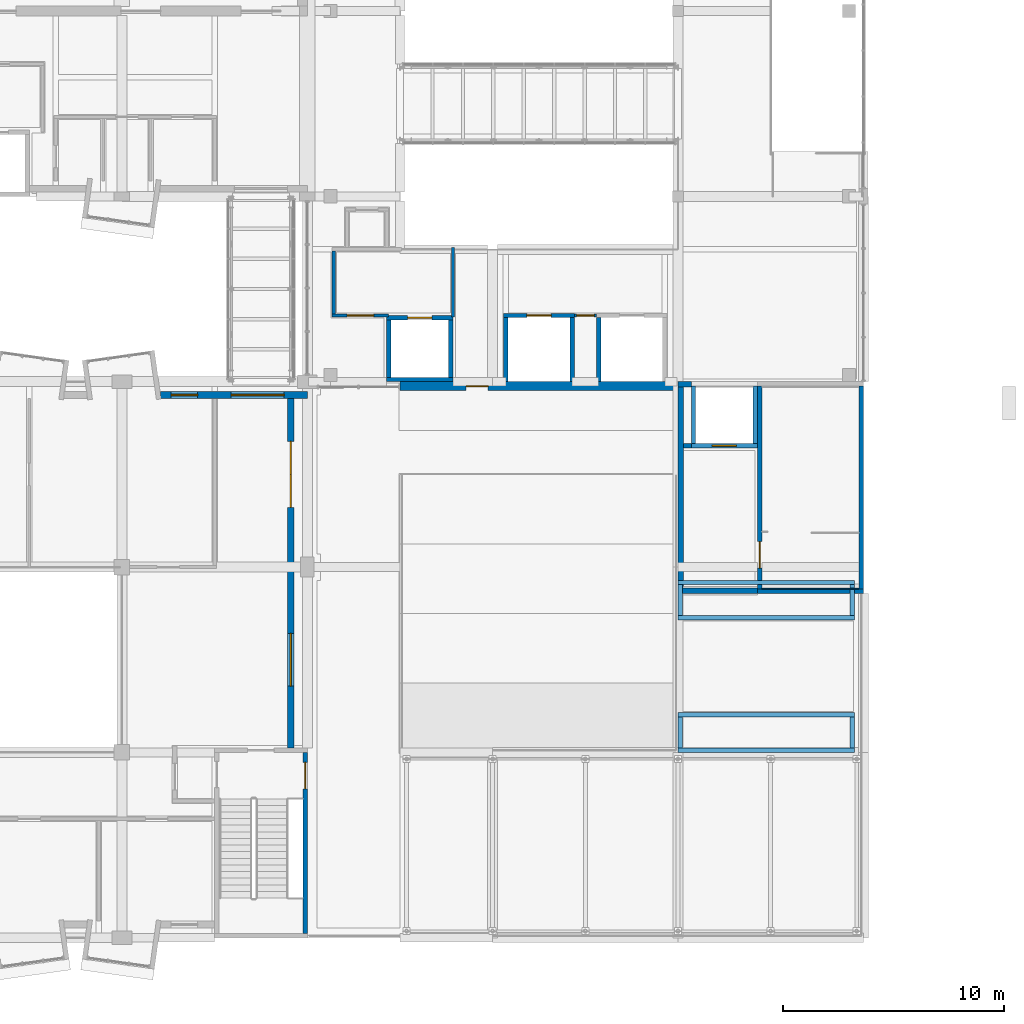
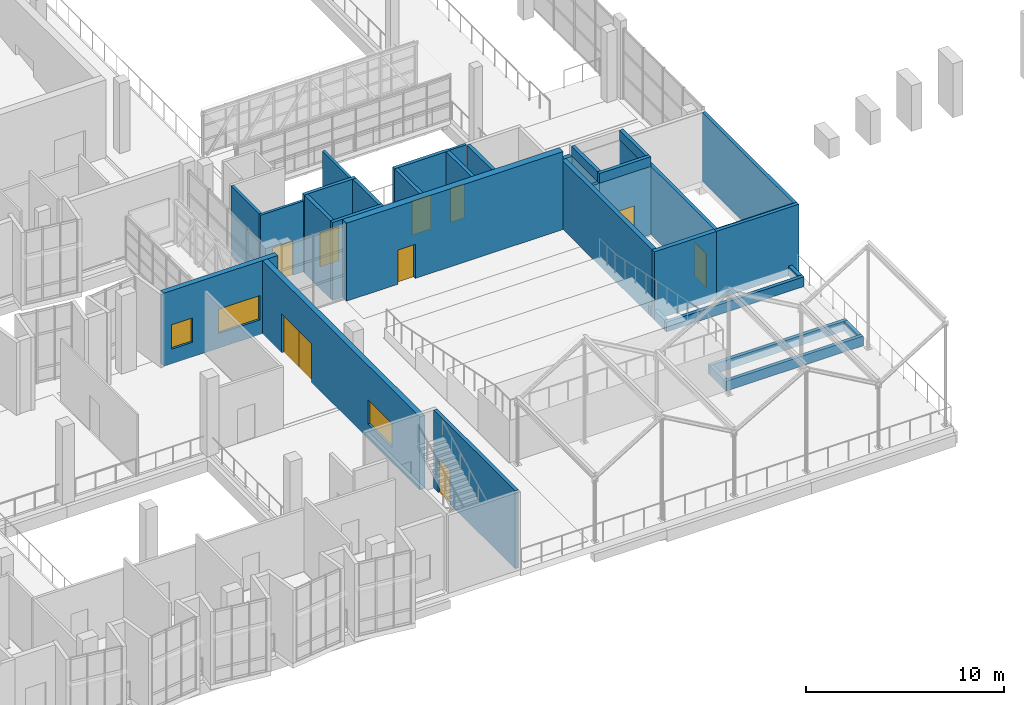
# One storey, part 43 of 67: 38 walls, 10 doors, 3 windows, 13 openings.
"""IFC4 building model written with IfcOpenShell, lengths in metres."""

from ifc_helpers import new_model, si_unit, direction, frame, frame_2d, origin, place, context, subcontext, project, spatial, rectangle, extrude, material, layer, layer_set, type_object, element, fill, save


model = new_model("IFC4")

# Units and contexts
model_context = context("Model", 3, precision=1e-05, world=origin(), true_north=direction((0.0, 1.0)))
body_context = subcontext(model_context, "Body", "Model", "MODEL_VIEW")
ifc_project = project(units=[si_unit("LENGTHUNIT", "METRE"), si_unit("AREAUNIT", "SQUARE_METRE"), si_unit("VOLUMEUNIT", "CUBIC_METRE"), si_unit("PLANEANGLEUNIT", "RADIAN"), si_unit("MASSUNIT", "GRAM", prefix="KILO")], contexts=[model_context])

# Site, building, storey
site_placement = place(None, origin())
site = spatial("IfcSite", under=ifc_project, at=site_placement, CompositionType="ELEMENT")
building_placement = place(site_placement, origin())
building = spatial("IfcBuilding", under=site, at=building_placement, Name="Kiln Court Media Centre", CompositionType="ELEMENT")
storey_placement = place(building_placement, frame((0.0, 0.0, 19.800048828125)))
storey = spatial("IfcBuildingStorey", under=building, at=storey_placement, Name="L04", CompositionType="ELEMENT", Elevation=19.800048828125)

# Wall, opening, door
ifc_material_1 = material(Name="Concrete block masonry M7.5", Category="masonry")
ifc_layer_1 = layer(ifc_material_1, 0.14990234375)
ifc_layer_set_1 = layer_set([ifc_layer_1], Name="Block lobby wall 150 EI 120")
wall_type_1 = type_object("IfcWallType", Name="Block lobby wall 150 EI 120", PredefinedType="SOLIDWALL", material=ifc_layer_set_1)
wall_1_placement = place(storey_placement, frame((34.72509765625, 28.199951171875, 0.0), z_axis=(0.0, 0.0, 1.0), x_axis=(1.0, 0.0, 0.0)))
wall_1 = element("IfcWall", 1, at=wall_1_placement, inside=storey, type_object=wall_type_1, Name="L04 block lobby wall", PredefinedType="SOLIDWALL", context=body_context, shape_type="SweptSolid", body=[
    extrude(rectangle(XDim=2.5498046875, YDim=0.14990234375, at=frame_2d((1.27490234375, 0.0))), origin(), (0.0, 0.0, 1.0), 4.349853515625),
])
opening_1_placement = place(wall_1_placement, frame((0.675048828125, 0.0, 0.0)))
opening_1 = element("IfcOpeningElement", 2, at=opening_1_placement, cuts=wall_1, Name="Opening D4023", PredefinedType="OPENING", context=body_context, shape_type="SweptSolid", body=[
    extrude(rectangle(XDim=1.199951171875, YDim=2.10009765625, at=frame_2d((0.60009765625, 1.050048828125))), frame((0.0, 0.0849609375, 0.0), z_axis=(0.0, -1.0, 0.0), x_axis=(1.0, 0.0, 0.0)), (0.0, 0.0, 1.0), 0.169921875),
])
ifc_material_2 = material(Name="Steel S275", Category="steel")
door_type_1 = type_object("IfcDoorType", Name="Steel lobby door 1200 x 2100 FD120", OperationType="SINGLE_SWING_LEFT", PredefinedType="DOOR", material=ifc_material_2)
door_1_placement = place(opening_1_placement, origin())
door_1 = element("IfcDoor", 3, at=door_1_placement, inside=storey, type_object=door_type_1, Name="South Gallery West / Fire-fighting Lift Lobby", OperationType="SINGLE_SWING_RIGHT", OverallHeight=2.10009765625, OverallWidth=1.199951171875, PredefinedType="DOOR", context=body_context, shape_type="SweptSolid", body=[
    extrude(rectangle(XDim=1.199951171875, YDim=2.10009765625, at=frame_2d((0.60009765625, 1.050048828125))), frame((0.0, 0.02490234375, 0.0), z_axis=(0.0, -1.0, 0.0), x_axis=(1.0, 0.0, 0.0)), (0.0, 0.0, 1.0), 0.050048828125),
])
fill(opening_1, door_1)

# Walls
wall_2_placement = place(storey_placement, frame((34.800048828125, 28.27490234375, 0.0), z_axis=(0.0, 0.0, 1.0), x_axis=(0.0, 1.0, 0.0)))
element("IfcWall", 4, at=wall_2_placement, inside=storey, type_object=wall_type_1, Name="L04 block lobby wall", PredefinedType="SOLIDWALL", context=body_context, shape_type="SweptSolid", body=[
    extrude(rectangle(XDim=2.85009765625, YDim=0.14990234375, at=frame_2d((1.425048828125, 0.0))), origin(), (0.0, 0.0, 1.0), 4.349853515625),
])
wall_3_placement = place(storey_placement, frame((40.199951171875, 28.125, 0.0), z_axis=(0.0, 0.0, 1.0), x_axis=(0.0, 1.0, 0.0)))
element("IfcWall", 5, at=wall_3_placement, inside=storey, type_object=wall_type_1, Name="L04 block lobby wall", PredefinedType="SOLIDWALL", context=body_context, shape_type="SweptSolid", body=[
    extrude(rectangle(XDim=3.14990234375, YDim=0.14990234375, at=frame_2d((1.574951171875, 0.0))), origin(), (0.0, 0.0, 1.0), 4.5),
])

# Wall, opening, door
ifc_material_3 = material(Name="Concrete block masonry M10", Category="masonry")
ifc_layer_2 = layer(ifc_material_3, 0.14990234375)
ifc_layer_set_2 = layer_set([ifc_layer_2], Name="Block riser wall 150 EI 120")
wall_type_2 = type_object("IfcWallType", Name="Block riser wall 150 EI 120", PredefinedType="SOLIDWALL", material=ifc_layer_set_2)
wall_4_placement = place(storey_placement, frame((45.699951171875, 28.199951171875, 0.0), z_axis=(0.0, 0.0, 1.0), x_axis=(1.0, 0.0, 0.0)))
wall_4 = element("IfcWall", 6, at=wall_4_placement, inside=storey, type_object=wall_type_2, Name="L04 block riser wall", PredefinedType="SOLIDWALL", context=body_context, shape_type="SweptSolid", body=[
    extrude(rectangle(XDim=1.0, YDim=0.14990234375, at=frame_2d((0.5, 0.0))), origin(), (0.0, 0.0, 1.0), 4.5),
])
opening_2_placement = place(wall_4_placement, frame((0.10009765625, 0.0, 0.0)))
opening_2 = element("IfcOpeningElement", 7, at=opening_2_placement, cuts=wall_4, Name="Opening D4037", PredefinedType="OPENING", context=body_context, shape_type="SweptSolid", body=[
    extrude(rectangle(XDim=0.800048828125, YDim=2.10009765625, at=frame_2d((0.39990234375, 1.050048828125))), frame((0.0, 0.0849609375, 0.0), z_axis=(0.0, -1.0, 0.0), x_axis=(1.0, 0.0, 0.0)), (0.0, 0.0, 1.0), 0.169921875),
])
ifc_material_4 = material(Name="Steel S275", Category="steel")
door_type_2 = type_object("IfcDoorType", Name="Steel riser door 800 x 2100 FD90", OperationType="SINGLE_SWING_LEFT", PredefinedType="DOOR", material=ifc_material_4)
door_2_placement = place(opening_2_placement, origin())
door_2 = element("IfcDoor", 8, at=door_2_placement, inside=storey, type_object=door_type_2, Name="Riser / Glass Lift Landing", OperationType="SINGLE_SWING_RIGHT", OverallHeight=2.10009765625, OverallWidth=0.800048828125, PredefinedType="DOOR", context=body_context, shape_type="SweptSolid", body=[
    extrude(rectangle(XDim=0.800048828125, YDim=2.10009765625, at=frame_2d((0.39990234375, 1.050048828125))), frame((0.0, 0.02490234375, 0.0), z_axis=(0.0, -1.0, 0.0), x_axis=(1.0, 0.0, 0.0)), (0.0, 0.0, 1.0), 0.050048828125),
])
fill(opening_2, door_2)

# Wall, openings, doors, window
ifc_material_5 = material(Name="Brick masonry facing leaf with RC backing", Category="masonry")
ifc_layer_3 = layer(ifc_material_5, 0.300048828125)
ifc_layer_set_3 = layer_set([ifc_layer_3], Name="Brick masonry cavity wall 300")
wall_type_3 = type_object("IfcWallType", Name="Brick masonry cavity wall 300", PredefinedType="SOLIDWALL", material=ifc_layer_set_3)
wall_5_placement = place(storey_placement, frame((32.85009765625, 24.449951171875, 0.0), z_axis=(0.0, 0.0, 1.0), x_axis=(0.0, -1.0, 0.0)))
wall_5 = element("IfcWall", 9, at=wall_5_placement, inside=storey, type_object=wall_type_3, Name="V6A-E facade L04 3004", PredefinedType="SOLIDWALL", context=body_context, shape_type="SweptSolid", body=[
    extrude(rectangle(XDim=15.849853515625, YDim=0.300048828125, at=frame_2d((7.9248046875, 0.0))), origin(), (0.0, 0.0, 1.0), 4.5),
])
opening_3_placement = place(wall_5_placement, frame((10.64990234375, 0.0, 0.89990234375)))
opening_3 = element("IfcOpeningElement", 10, at=opening_3_placement, cuts=wall_5, Name="Opening WN4001", PredefinedType="OPENING", context=body_context, shape_type="SweptSolid", body=[
    extrude(rectangle(XDim=2.39990234375, YDim=1.5, at=frame_2d((1.199951171875, 0.75))), frame((0.0, 0.159912109375, 0.0), z_axis=(0.0, -1.0, 0.0), x_axis=(1.0, 0.0, 0.0)), (0.0, 0.0, 1.0), 0.320068359375),
])
opening_4_placement = place(wall_5_placement, frame((3.449951171875, 0.0, 0.0)))
opening_4 = element("IfcOpeningElement", 11, at=opening_4_placement, cuts=wall_5, Name="Opening D4600", PredefinedType="OPENING", context=body_context, shape_type="SweptSolid", body=[
    extrude(rectangle(XDim=1.5, YDim=2.39990234375, at=frame_2d((0.75, 1.199951171875))), frame((0.0, 0.159912109375, 0.0), z_axis=(0.0, -1.0, 0.0), x_axis=(1.0, 0.0, 0.0)), (0.0, 0.0, 1.0), 0.320068359375),
])
opening_5_placement = place(wall_5_placement, frame((1.949951171875, 0.0, 0.0)))
opening_5 = element("IfcOpeningElement", 12, at=opening_5_placement, cuts=wall_5, Name="Opening D4601", PredefinedType="OPENING", context=body_context, shape_type="SweptSolid", body=[
    extrude(rectangle(XDim=1.5, YDim=2.39990234375, at=frame_2d((0.75, 1.199951171875))), frame((0.0, 0.159912109375, 0.0), z_axis=(0.0, -1.0, 0.0), x_axis=(1.0, 0.0, 0.0)), (0.0, 0.0, 1.0), 0.320068359375),
])
ifc_material_6 = material(Name="Aluminium 6063-T6", Category="aluminium")
door_type_3 = type_object("IfcDoorType", Name="Aluminium glazed entrance door 1500x2400", OperationType="DOUBLE_DOOR_DOUBLE_SWING", PredefinedType="DOOR", material=ifc_material_6)
door_3_placement = place(opening_4_placement, origin())
door_3 = element("IfcDoor", 13, at=door_3_placement, inside=storey, type_object=door_type_3, Name="DD door D4600", OperationType="SINGLE_SWING_LEFT", OverallHeight=2.39990234375, OverallWidth=1.5, PredefinedType="DOOR", context=body_context, shape_type="SweptSolid", body=[
    extrude(rectangle(XDim=1.5, YDim=2.39990234375, at=frame_2d((0.75, 1.199951171875))), frame((0.0, 0.02490234375, 0.0), z_axis=(0.0, -1.0, 0.0), x_axis=(1.0, 0.0, 0.0)), (0.0, 0.0, 1.0), 0.050048828125),
])
fill(opening_4, door_3)
door_4_placement = place(opening_5_placement, origin())
door_4 = element("IfcDoor", 14, at=door_4_placement, inside=storey, type_object=door_type_3, Name="DD door D4601", OperationType="SINGLE_SWING_LEFT", OverallHeight=2.39990234375, OverallWidth=1.5, PredefinedType="DOOR", context=body_context, shape_type="SweptSolid", body=[
    extrude(rectangle(XDim=1.5, YDim=2.39990234375, at=frame_2d((0.75, 1.199951171875))), frame((0.0, 0.02490234375, 0.0), z_axis=(0.0, -1.0, 0.0), x_axis=(1.0, 0.0, 0.0)), (0.0, 0.0, 1.0), 0.050048828125),
])
fill(opening_5, door_4)
ifc_material_7 = material(Name="Aluminium 6063-T6", Category="aluminium")
window_type_1 = type_object("IfcWindowType", Name="Aluminium window 2400x1500", PartitioningType="TRIPLE_PANEL_VERTICAL", PredefinedType="WINDOW", material=ifc_material_7)
window_1_placement = place(opening_3_placement, origin())
window_1 = element("IfcWindow", 15, at=window_1_placement, inside=storey, type_object=window_type_1, Name="WC window WN4001", OverallHeight=1.5, OverallWidth=2.39990234375, PartitioningType="SINGLE_PANEL", PredefinedType="WINDOW", context=body_context, shape_type="SweptSolid", body=[
    extrude(rectangle(XDim=2.39990234375, YDim=1.5, at=frame_2d((1.199951171875, 0.75))), frame((0.0, 0.030029296875, 0.0), z_axis=(0.0, -1.0, 0.0), x_axis=(1.0, 0.0, 0.0)), (0.0, 0.0, 1.0), 0.06005859375),
])
fill(opening_3, window_1)

# Wall, openings, windows
wall_6_placement = place(storey_placement, frame((26.950439453125, 24.60009765625, 0.0), z_axis=(0.0, 0.0, 1.0), x_axis=(1.0, 0.0, 0.0)))
wall_6 = element("IfcWall", 16, at=wall_6_placement, inside=storey, type_object=wall_type_3, Name="V6A-N facade L04 3020", PredefinedType="SOLIDWALL", context=body_context, shape_type="SweptSolid", body=[
    extrude(rectangle(XDim=6.649658203125, YDim=0.300048828125, at=frame_2d((3.32470703125, 0.0))), origin(), (0.0, 0.0, 1.0), 4.5),
])
opening_6_placement = place(wall_6_placement, frame((0.474609375, 0.0, 0.89990234375)))
opening_6 = element("IfcOpeningElement", 17, at=opening_6_placement, cuts=wall_6, Name="Opening WN4003", PredefinedType="OPENING", context=body_context, shape_type="SweptSolid", body=[
    extrude(rectangle(XDim=1.199951171875, YDim=1.5, at=frame_2d((0.60009765625, 0.75))), frame((0.0, 0.159912109375, 0.0), z_axis=(0.0, -1.0, 0.0), x_axis=(1.0, 0.0, 0.0)), (0.0, 0.0, 1.0), 0.320068359375),
])
opening_7_placement = place(wall_6_placement, frame((3.199462890625, 0.0, 0.89990234375)))
opening_7 = element("IfcOpeningElement", 18, at=opening_7_placement, cuts=wall_6, Name="Opening WN4004", PredefinedType="OPENING", context=body_context, shape_type="SweptSolid", body=[
    extrude(rectangle(XDim=2.39990234375, YDim=1.5, at=frame_2d((1.199951171875, 0.75))), frame((0.0, 0.159912109375, 0.0), z_axis=(0.0, -1.0, 0.0), x_axis=(1.0, 0.0, 0.0)), (0.0, 0.0, 1.0), 0.320068359375),
])
ifc_material_8 = material(Name="Aluminium 6063-T6", Category="aluminium")
window_type_2 = type_object("IfcWindowType", Name="Aluminium window 1200x1500", PartitioningType="DOUBLE_PANEL_VERTICAL", PredefinedType="WINDOW", material=ifc_material_8)
window_2_placement = place(opening_6_placement, origin())
window_2 = element("IfcWindow", 19, at=window_2_placement, inside=storey, type_object=window_type_2, Name="WB window WN4003", OverallHeight=1.5, OverallWidth=1.199951171875, PartitioningType="SINGLE_PANEL", PredefinedType="WINDOW", context=body_context, shape_type="SweptSolid", body=[
    extrude(rectangle(XDim=1.199951171875, YDim=1.5, at=frame_2d((0.60009765625, 0.75))), frame((0.0, 0.030029296875, 0.0), z_axis=(0.0, -1.0, 0.0), x_axis=(1.0, 0.0, 0.0)), (0.0, 0.0, 1.0), 0.06005859375),
])
fill(opening_6, window_2)
window_3_placement = place(opening_7_placement, origin())
window_3 = element("IfcWindow", 20, at=window_3_placement, inside=storey, type_object=window_type_1, Name="WC window WN4004", OverallHeight=1.5, OverallWidth=2.39990234375, PartitioningType="SINGLE_PANEL", PredefinedType="WINDOW", context=body_context, shape_type="SweptSolid", body=[
    extrude(rectangle(XDim=2.39990234375, YDim=1.5, at=frame_2d((1.199951171875, 0.75))), frame((0.0, 0.030029296875, 0.0), z_axis=(0.0, -1.0, 0.0), x_axis=(1.0, 0.0, 0.0)), (0.0, 0.0, 1.0), 0.06005859375),
])
fill(opening_7, window_3)

# Walls
ifc_material_9 = material(Name="Concrete C30/37", Category="concrete")
ifc_layer_4 = layer(ifc_material_9, 0.199951171875)
ifc_layer_set_4 = layer_set([ifc_layer_4], Name="Concrete C30/37 planter wall 200")
wall_type_4 = type_object("IfcWallType", Name="Concrete C30/37 planter wall 200", PredefinedType="PARAPET", material=ifc_layer_set_4)
wall_7_placement = place(storey_placement, frame((50.39990234375, 8.5, 0.0), z_axis=(0.0, 0.0, 1.0), x_axis=(1.0, 0.0, 0.0)))
element("IfcWall", 21, at=wall_7_placement, inside=storey, type_object=wall_type_4, Name="PLANTER 1 wall", PredefinedType="PARAPET", context=body_context, shape_type="SweptSolid", body=[
    extrude(rectangle(XDim=8.0, YDim=0.199951171875, at=frame_2d((4.0, 0.0))), origin(), (0.0, 0.0, 1.0), 0.599853515625),
])
wall_8_placement = place(storey_placement, frame((58.300048828125, 8.60009765625, 0.0), z_axis=(0.0, 0.0, 1.0), x_axis=(0.0, 1.0, 0.0)))
element("IfcWall", 22, at=wall_8_placement, inside=storey, type_object=wall_type_4, Name="PLANTER 1 wall", PredefinedType="PARAPET", context=body_context, shape_type="SweptSolid", body=[
    extrude(rectangle(XDim=1.39990234375, YDim=0.199951171875, at=frame_2d((0.699951171875, 0.0))), origin(), (0.0, 0.0, 1.0), 0.599853515625),
])
wall_9_placement = place(storey_placement, frame((58.39990234375, 10.10009765625, 0.0), z_axis=(0.0, 0.0, 1.0), x_axis=(-1.0, 0.0, 0.0)))
element("IfcWall", 23, at=wall_9_placement, inside=storey, type_object=wall_type_4, Name="PLANTER 1 wall", PredefinedType="PARAPET", context=body_context, shape_type="SweptSolid", body=[
    extrude(rectangle(XDim=8.0, YDim=0.199951171875, at=frame_2d((4.0, 0.0))), origin(), (0.0, 0.0, 1.0), 0.599853515625),
])
wall_10_placement = place(storey_placement, frame((50.5, 10.0, 0.0), z_axis=(0.0, 0.0, 1.0), x_axis=(0.0, -1.0, 0.0)))
element("IfcWall", 24, at=wall_10_placement, inside=storey, type_object=wall_type_4, Name="PLANTER 1 wall", PredefinedType="PARAPET", context=body_context, shape_type="SweptSolid", body=[
    extrude(rectangle(XDim=1.39990234375, YDim=0.199951171875, at=frame_2d((0.699951171875, 0.0))), origin(), (0.0, 0.0, 1.0), 0.599853515625),
])
wall_11_placement = place(storey_placement, frame((50.39990234375, 14.5, 0.0), z_axis=(0.0, 0.0, 1.0), x_axis=(1.0, 0.0, 0.0)))
element("IfcWall", 25, at=wall_11_placement, inside=storey, type_object=wall_type_4, Name="PLANTER 2 wall", PredefinedType="PARAPET", context=body_context, shape_type="SweptSolid", body=[
    extrude(rectangle(XDim=8.0, YDim=0.199951171875, at=frame_2d((4.0, 0.0))), origin(), (0.0, 0.0, 1.0), 0.599853515625),
])
wall_12_placement = place(storey_placement, frame((58.300048828125, 14.60009765625, 0.0), z_axis=(0.0, 0.0, 1.0), x_axis=(0.0, 1.0, 0.0)))
element("IfcWall", 26, at=wall_12_placement, inside=storey, type_object=wall_type_4, Name="PLANTER 2 wall", PredefinedType="PARAPET", context=body_context, shape_type="SweptSolid", body=[
    extrude(rectangle(XDim=1.39990234375, YDim=0.199951171875, at=frame_2d((0.699951171875, 0.0))), origin(), (0.0, 0.0, 1.0), 0.599853515625),
])
wall_13_placement = place(storey_placement, frame((58.39990234375, 16.10009765625, 0.0), z_axis=(0.0, 0.0, 1.0), x_axis=(-1.0, 0.0, 0.0)))
element("IfcWall", 27, at=wall_13_placement, inside=storey, type_object=wall_type_4, Name="PLANTER 2 wall", PredefinedType="PARAPET", context=body_context, shape_type="SweptSolid", body=[
    extrude(rectangle(XDim=8.0, YDim=0.199951171875, at=frame_2d((4.0, 0.0))), origin(), (0.0, 0.0, 1.0), 0.599853515625),
])
wall_14_placement = place(storey_placement, frame((50.5, 16.0, 0.0), z_axis=(0.0, 0.0, 1.0), x_axis=(0.0, -1.0, 0.0)))
element("IfcWall", 28, at=wall_14_placement, inside=storey, type_object=wall_type_4, Name="PLANTER 2 wall", PredefinedType="PARAPET", context=body_context, shape_type="SweptSolid", body=[
    extrude(rectangle(XDim=1.39990234375, YDim=0.199951171875, at=frame_2d((0.699951171875, 0.0))), origin(), (0.0, 0.0, 1.0), 0.599853515625),
])

# Wall, opening, door
ifc_material_10 = material(Name="Concrete C40/50", Category="concrete")
ifc_layer_5 = layer(ifc_material_10, 0.199951171875)
ifc_layer_set_5 = layer_set([ifc_layer_5], Name="Concrete C40/50 lift shaft wall 200 EI 240")
wall_type_5 = type_object("IfcWallType", Name="Concrete C40/50 lift shaft wall 200 EI 240", PredefinedType="SHEAR", material=ifc_layer_set_5)
wall_15_placement = place(storey_placement, frame((42.5, 28.199951171875, 0.0), z_axis=(0.0, 0.0, 1.0), x_axis=(1.0, 0.0, 0.0)))
wall_15 = element("IfcWall", 29, at=wall_15_placement, inside=storey, type_object=wall_type_5, Name="L04 concrete c40/50 lift shaft wall", PredefinedType="SHEAR", context=body_context, shape_type="SweptSolid", body=[
    extrude(rectangle(XDim=3.199951171875, YDim=0.199951171875, at=frame_2d((1.60009765625, 0.0))), origin(), (0.0, 0.0, 1.0), 4.5),
])
opening_8_placement = place(wall_15_placement, frame((1.050048828125, 0.0, 0.0)))
opening_8 = element("IfcOpeningElement", 30, at=opening_8_placement, cuts=wall_15, Name="Opening LD407", PredefinedType="OPENING", context=body_context, shape_type="SweptSolid", body=[
    extrude(rectangle(XDim=1.10009765625, YDim=2.10009765625, at=frame_2d((0.550048828125, 1.050048828125))), frame((0.0, 0.10986328125, 0.0), z_axis=(0.0, -1.0, 0.0), x_axis=(1.0, 0.0, 0.0)), (0.0, 0.0, 1.0), 0.219970703125),
])
ifc_material_11 = material(Name="Stainless steel", Category="steel")
door_type_4 = type_object("IfcDoorType", Name="Lift landing door 1100 x 2100 FD120", OperationType="SLIDING_TO_LEFT", PredefinedType="DOOR", material=ifc_material_11)
door_5_placement = place(opening_8_placement, origin())
door_5 = element("IfcDoor", 31, at=door_5_placement, inside=storey, type_object=door_type_4, Name="LF-07 landing door L04", OperationType="SLIDING_TO_LEFT", OverallHeight=2.10009765625, OverallWidth=1.10009765625, PredefinedType="DOOR", context=body_context, shape_type="SweptSolid", body=[
    extrude(rectangle(XDim=1.10009765625, YDim=2.10009765625, at=frame_2d((0.550048828125, 1.050048828125))), frame((0.0, 0.02490234375, 0.0), z_axis=(0.0, -1.0, 0.0), x_axis=(1.0, 0.0, 0.0)), (0.0, 0.0, 1.0), 0.050048828125),
])
fill(opening_8, door_5)

# Walls
for number, where, z_axis, x_axis, name in (
    (32, (42.60009765625, 25.199951171875, 0.0), (0.0, 0.0, 1.0), (0.0, 1.0, 0.0), "L04 concrete c40/50 lift shaft wall"),
    (33, (45.60009765625, 25.199951171875, 0.0), (0.0, 0.0, 1.0), (0.0, 1.0, 0.0), "L04 concrete c40/50 lift shaft wall"),
    (34, (46.800048828125, 25.199951171875, 0.0), (0.0, 0.0, 1.0), (0.0, 1.0, 0.0), "L04 concrete c40/50 lift shaft wall"),
):
    element("IfcWall", number, at=place(storey_placement, frame(where, z_axis=z_axis, x_axis=x_axis)), inside=storey, type_object=wall_type_5, Name=name, PredefinedType="SHEAR", context=body_context, shape_type="SweptSolid", body=[
        extrude(rectangle(XDim=2.900146484375, YDim=0.199951171875, at=frame_2d((1.4501953125, 0.0))), origin(), (0.0, 0.0, 1.0), 4.5),
    ])

# Wall, opening, door
ifc_material_12 = material(Name="Concrete C40/50", Category="concrete")
ifc_layer_6 = layer(ifc_material_12, 0.39990234375)
ifc_layer_set_6 = layer_set([ifc_layer_6], Name="Concrete C40/50 screen wall 400")
wall_type_6 = type_object("IfcWallType", Name="Concrete C40/50 screen wall 400", PredefinedType="SOLIDWALL", material=ifc_layer_set_6)
wall_16_placement = place(storey_placement, frame((37.800048828125, 25.0, 0.0), z_axis=(0.0, 0.0, 1.0), x_axis=(1.0, 0.0, 0.0)))
wall_16 = element("IfcWall", 35, at=wall_16_placement, inside=storey, type_object=wall_type_6, Name="L04-W-1103", PredefinedType="SOLIDWALL", context=body_context, shape_type="SweptSolid", body=[
    extrude(rectangle(XDim=12.599853515625, YDim=0.39990234375, at=frame_2d((6.2998046875, 0.0))), origin(), (0.0, 0.0, 1.0), 4.800048828125),
])
opening_9_placement = place(wall_16_placement, frame((3.0, 0.0, 0.0)))
opening_9 = element("IfcOpeningElement", 36, at=opening_9_placement, cuts=wall_16, Name="Opening D4024", PredefinedType="OPENING", context=body_context, shape_type="SweptSolid", body=[
    extrude(rectangle(XDim=1.0, YDim=2.10009765625, at=frame_2d((0.5, 1.050048828125))), frame((0.0, 0.2099609375, 0.0), z_axis=(0.0, -1.0, 0.0), x_axis=(1.0, 0.0, 0.0)), (0.0, 0.0, 1.0), 0.419921875),
])
ifc_material_13 = material(Name="Timber", Category="wood")
door_type_5 = type_object("IfcDoorType", Name="Timber door 1000 x 2100", OperationType="SINGLE_SWING_LEFT", PredefinedType="DOOR", material=ifc_material_13)
door_6_placement = place(opening_9_placement, origin())
door_6 = element("IfcDoor", 37, at=door_6_placement, inside=storey, type_object=door_type_5, Name="South Gallery Link / Open-air Screen Wall and Stage", OperationType="SINGLE_SWING_RIGHT", OverallHeight=2.10009765625, OverallWidth=1.0, PredefinedType="DOOR", context=body_context, shape_type="SweptSolid", body=[
    extrude(rectangle(XDim=1.0, YDim=2.10009765625, at=frame_2d((0.5, 1.050048828125))), frame((0.0, 0.02490234375, 0.0), z_axis=(0.0, -1.0, 0.0), x_axis=(1.0, 0.0, 0.0)), (0.0, 0.0, 1.0), 0.050048828125),
])
fill(opening_9, door_6)

ifc_material_14 = material(Name="Concrete C40/50", Category="concrete")
ifc_layer_7 = layer(ifc_material_14, 0.199951171875)
ifc_layer_set_7 = layer_set([ifc_layer_7], Name="Concrete C40/50 shear wall 200")
wall_type_7 = type_object("IfcWallType", Name="Concrete C40/50 shear wall 200", PredefinedType="SHEAR", material=ifc_layer_set_7)
wall_17_placement = place(storey_placement, frame((33.5, 8.39990234375, 0.0), z_axis=(0.0, 0.0, 1.0), x_axis=(0.0, -1.0, 0.0)))
wall_17 = element("IfcWall", 38, at=wall_17_placement, inside=storey, type_object=wall_type_7, Name="L04-W-1011", PredefinedType="SHEAR", context=body_context, shape_type="SweptSolid", body=[
    extrude(rectangle(XDim=8.199951171875, YDim=0.199951171875, at=frame_2d((4.10009765625, 0.0))), origin(), (0.0, 0.0, 1.0), 4.800048828125),
])
opening_10_placement = place(wall_17_placement, frame((0.449951171875, 0.0, 0.0)))
opening_10 = element("IfcOpeningElement", 39, at=opening_10_placement, cuts=wall_17, Name="Opening D4007", PredefinedType="OPENING", context=body_context, shape_type="SweptSolid", body=[
    extrude(rectangle(XDim=1.199951171875, YDim=2.10009765625, at=frame_2d((0.60009765625, 1.050048828125))), frame((0.0, 0.10986328125, 0.0), z_axis=(0.0, -1.0, 0.0), x_axis=(1.0, 0.0, 0.0)), (0.0, 0.0, 1.0), 0.219970703125),
])
ifc_material_15 = material(Name="Steel S275", Category="steel")
door_type_6 = type_object("IfcDoorType", Name="Steel stair door 1200 x 2100 FD180", OperationType="SINGLE_SWING_LEFT", PredefinedType="DOOR", material=ifc_material_15)
door_7_placement = place(opening_10_placement, origin())
door_7 = element("IfcDoor", 40, at=door_7_placement, inside=storey, type_object=door_type_6, Name="Terrace Promenade / Stair 3", OperationType="SINGLE_SWING_RIGHT", OverallHeight=2.10009765625, OverallWidth=1.199951171875, PredefinedType="DOOR", context=body_context, shape_type="SweptSolid", body=[
    extrude(rectangle(XDim=1.199951171875, YDim=2.10009765625, at=frame_2d((0.60009765625, 1.050048828125))), frame((0.0, 0.02490234375, 0.0), z_axis=(0.0, -1.0, 0.0), x_axis=(1.0, 0.0, 0.0)), (0.0, 0.0, 1.0), 0.050048828125),
])
fill(opening_10, door_7)

# Wall
wall_18_placement = place(storey_placement, frame((58.800048828125, 15.699951171875, 0.0), z_axis=(0.0, 0.0, 1.0), x_axis=(-1.0, 0.0, 0.0)))
element("IfcWall", 41, at=wall_18_placement, inside=storey, type_object=wall_type_7, Name="L04-W-1012", PredefinedType="SHEAR", context=body_context, shape_type="SweptSolid", body=[
    extrude(rectangle(XDim=4.800048828125, YDim=0.199951171875, at=frame_2d((2.39990234375, 0.0))), origin(), (0.0, 0.0, 1.0), 4.199951171875),
])

# Wall, opening, door
wall_19_placement = place(storey_placement, frame((54.10009765625, 15.800048828125, 0.0), z_axis=(0.0, 0.0, 1.0), x_axis=(0.0, 1.0, 0.0)))
wall_19 = element("IfcWall", 42, at=wall_19_placement, inside=storey, type_object=wall_type_7, Name="L04-W-1014", PredefinedType="SHEAR", context=body_context, shape_type="SweptSolid", body=[
    extrude(rectangle(XDim=9.199951171875, YDim=0.199951171875, at=frame_2d((4.60009765625, 0.0))), origin(), (0.0, 0.0, 1.0), 4.199951171875),
])
opening_11_placement = place(wall_19_placement, frame((0.949951171875, 0.0, 0.0)))
opening_11 = element("IfcOpeningElement", 43, at=opening_11_placement, cuts=wall_19, Name="Opening D4001", PredefinedType="OPENING", context=body_context, shape_type="SweptSolid", body=[
    extrude(rectangle(XDim=1.199951171875, YDim=2.10009765625, at=frame_2d((0.60009765625, 1.050048828125))), frame((0.0, 0.10986328125, 0.0), z_axis=(0.0, -1.0, 0.0), x_axis=(1.0, 0.0, 0.0)), (0.0, 0.0, 1.0), 0.219970703125),
])
door_8_placement = place(opening_11_placement, origin())
door_8 = element("IfcDoor", 44, at=door_8_placement, inside=storey, type_object=door_type_6, Name="Terrace Head House Lobby / Stair 5", OperationType="SINGLE_SWING_LEFT", OverallHeight=2.10009765625, OverallWidth=1.199951171875, PredefinedType="DOOR", context=body_context, shape_type="SweptSolid", body=[
    extrude(rectangle(XDim=1.199951171875, YDim=2.10009765625, at=frame_2d((0.60009765625, 1.050048828125))), frame((0.0, 0.02490234375, 0.0), z_axis=(0.0, -1.0, 0.0), x_axis=(1.0, 0.0, 0.0)), (0.0, 0.0, 1.0), 0.050048828125),
])
fill(opening_11, door_8)

# Wall
wall_20_placement = place(storey_placement, frame((58.699951171875, 25.0, 0.0), z_axis=(0.0, 0.0, 1.0), x_axis=(0.0, -1.0, 0.0)))
element("IfcWall", 45, at=wall_20_placement, inside=storey, type_object=wall_type_7, Name="L04-W-1015", PredefinedType="SHEAR", context=body_context, shape_type="SweptSolid", body=[
    extrude(rectangle(XDim=9.199951171875, YDim=0.199951171875, at=frame_2d((4.60009765625, 0.0))), origin(), (0.0, 0.0, 1.0), 4.199951171875),
])

# Wall, opening, door
wall_21_placement = place(storey_placement, frame((54.0, 22.300048828125, 0.0), z_axis=(0.0, 0.0, 1.0), x_axis=(-1.0, 0.0, 0.0)))
wall_21 = element("IfcWall", 46, at=wall_21_placement, inside=storey, type_object=wall_type_7, Name="L04-W-1044", PredefinedType="SHEAR", context=body_context, shape_type="SweptSolid", body=[
    extrude(rectangle(XDim=3.0, YDim=0.199951171875, at=frame_2d((1.5, 0.0))), origin(), (0.0, 0.0, 1.0), 4.199951171875),
])
opening_12_placement = place(wall_21_placement, frame((0.949951171875, 0.0, 0.0)))
opening_12 = element("IfcOpeningElement", 47, at=opening_12_placement, cuts=wall_21, Name="Opening LD404", PredefinedType="OPENING", context=body_context, shape_type="SweptSolid", body=[
    extrude(rectangle(XDim=1.10009765625, YDim=2.10009765625, at=frame_2d((0.550048828125, 1.050048828125))), frame((0.0, 0.10986328125, 0.0), z_axis=(0.0, -1.0, 0.0), x_axis=(1.0, 0.0, 0.0)), (0.0, 0.0, 1.0), 0.219970703125),
])
ifc_material_16 = material(Name="Stainless steel", Category="steel")
door_type_7 = type_object("IfcDoorType", Name="Firefighting lift landing door 1100 x 2100 FD120", OperationType="SLIDING_TO_LEFT", PredefinedType="DOOR", material=ifc_material_16)
door_9_placement = place(opening_12_placement, origin())
door_9 = element("IfcDoor", 48, at=door_9_placement, inside=storey, type_object=door_type_7, Name="LF-04 landing door L04", OperationType="SLIDING_TO_LEFT", OverallHeight=2.10009765625, OverallWidth=1.10009765625, PredefinedType="DOOR", context=body_context, shape_type="SweptSolid", body=[
    extrude(rectangle(XDim=1.10009765625, YDim=2.10009765625, at=frame_2d((0.550048828125, 1.050048828125))), frame((0.0, 0.02490234375, 0.0), z_axis=(0.0, -1.0, 0.0), x_axis=(1.0, 0.0, 0.0)), (0.0, 0.0, 1.0), 0.050048828125),
])
fill(opening_12, door_9)

# Walls
for number, where, z_axis, x_axis, name in (
    (49, (51.10009765625, 22.39990234375, 0.0), (0.0, 0.0, 1.0), (0.0, 1.0, 0.0), "L04-W-1046"),
    (50, (53.89990234375, 25.0, 0.0), (0.0, 0.0, 1.0), (0.0, -1.0, 0.0), "L04-W-1047"),
):
    element("IfcWall", number, at=place(storey_placement, frame(where, z_axis=z_axis, x_axis=x_axis)), inside=storey, type_object=wall_type_7, Name=name, PredefinedType="SHEAR", context=body_context, shape_type="SweptSolid", body=[
        extrude(rectangle(XDim=2.60009765625, YDim=0.199951171875, at=frame_2d((1.300048828125, 0.0))), origin(), (0.0, 0.0, 1.0), 4.199951171875),
    ])
wall_22_placement = place(storey_placement, frame((54.0, 22.300048828125, 4.199951171875), z_axis=(0.0, 0.0, 1.0), x_axis=(-1.0, 0.0, 0.0)))
element("IfcWall", 51, at=wall_22_placement, inside=storey, type_object=wall_type_7, Name="L04-W-1048", PredefinedType="SHEAR", context=body_context, shape_type="SweptSolid", body=[
    extrude(rectangle(XDim=3.0, YDim=0.199951171875, at=frame_2d((1.5, 0.0))), origin(), (0.0, 0.0, 1.0), 0.60009765625),
])
for number, where, z_axis, x_axis, name in (
    (52, (51.10009765625, 22.39990234375, 4.199951171875), (0.0, 0.0, 1.0), (0.0, 1.0, 0.0), "L04-W-1050"),
    (53, (53.89990234375, 25.0, 4.199951171875), (0.0, 0.0, 1.0), (0.0, -1.0, 0.0), "L04-W-1051"),
):
    element("IfcWall", number, at=place(storey_placement, frame(where, z_axis=z_axis, x_axis=x_axis)), inside=storey, type_object=wall_type_7, Name=name, PredefinedType="SHEAR", context=body_context, shape_type="SweptSolid", body=[
        extrude(rectangle(XDim=2.60009765625, YDim=0.199951171875, at=frame_2d((1.300048828125, 0.0))), origin(), (0.0, 0.0, 1.0), 0.60009765625),
    ])
wall_23_placement = place(storey_placement, frame((40.199951171875, 25.300048828125, 0.0), z_axis=(0.0, 0.0, 1.0), x_axis=(-1.0, 0.0, 0.0)))
element("IfcWall", 54, at=wall_23_placement, inside=storey, type_object=wall_type_7, Name="L04-W-1068", PredefinedType="SHEAR", context=body_context, shape_type="SweptSolid", body=[
    extrude(rectangle(XDim=3.0, YDim=0.199951171875, at=frame_2d((1.5, 0.0))), origin(), (0.0, 0.0, 1.0), 4.800048828125),
])

# Wall, opening, door
wall_24_placement = place(storey_placement, frame((37.199951171875, 28.10009765625, 0.0), z_axis=(0.0, 0.0, 1.0), x_axis=(1.0, 0.0, 0.0)))
wall_24 = element("IfcWall", 55, at=wall_24_placement, inside=storey, type_object=wall_type_7, Name="L04-W-1069", PredefinedType="SHEAR", context=body_context, shape_type="SweptSolid", body=[
    extrude(rectangle(XDim=3.0, YDim=0.199951171875, at=frame_2d((1.5, 0.0))), origin(), (0.0, 0.0, 1.0), 4.800048828125),
])
opening_13_placement = place(wall_24_placement, frame((0.949951171875, 0.0, 0.0)))
opening_13 = element("IfcOpeningElement", 56, at=opening_13_placement, cuts=wall_24, Name="Opening LD411", PredefinedType="OPENING", context=body_context, shape_type="SweptSolid", body=[
    extrude(rectangle(XDim=1.10009765625, YDim=2.10009765625, at=frame_2d((0.550048828125, 1.050048828125))), frame((0.0, 0.10986328125, 0.0), z_axis=(0.0, -1.0, 0.0), x_axis=(1.0, 0.0, 0.0)), (0.0, 0.0, 1.0), 0.219970703125),
])
door_10_placement = place(opening_13_placement, origin())
door_10 = element("IfcDoor", 57, at=door_10_placement, inside=storey, type_object=door_type_7, Name="LF-13 landing door L04", OperationType="SLIDING_TO_LEFT", OverallHeight=2.10009765625, OverallWidth=1.10009765625, PredefinedType="DOOR", context=body_context, shape_type="SweptSolid", body=[
    extrude(rectangle(XDim=1.10009765625, YDim=2.10009765625, at=frame_2d((0.550048828125, 1.050048828125))), frame((0.0, 0.02490234375, 0.0), z_axis=(0.0, -1.0, 0.0), x_axis=(1.0, 0.0, 0.0)), (0.0, 0.0, 1.0), 0.050048828125),
])
fill(opening_13, door_10)

# Walls
for number, where, z_axis, x_axis, name in (
    (58, (37.300048828125, 25.39990234375, 0.0), (0.0, 0.0, 1.0), (0.0, 1.0, 0.0), "L04-W-1070"),
    (59, (40.10009765625, 28.0, 0.0), (0.0, 0.0, 1.0), (0.0, -1.0, 0.0), "L04-W-1071"),
):
    element("IfcWall", number, at=place(storey_placement, frame(where, z_axis=z_axis, x_axis=x_axis)), inside=storey, type_object=wall_type_7, Name=name, PredefinedType="SHEAR", context=body_context, shape_type="SweptSolid", body=[
        extrude(rectangle(XDim=2.60009765625, YDim=0.199951171875, at=frame_2d((1.300048828125, 0.0))), origin(), (0.0, 0.0, 1.0), 4.800048828125),
    ])
wall_25_placement = place(storey_placement, frame((51.0, 22.300048828125, 0.0), z_axis=(0.0, 0.0, 1.0), x_axis=(-1.0, 0.0, 0.0)))
element("IfcWall", 60, at=wall_25_placement, inside=storey, type_object=wall_type_7, Name="L04-W-1114", PredefinedType="SHEAR", context=body_context, shape_type="SweptSolid", body=[
    extrude(rectangle(XDim=0.35009765625, YDim=0.199951171875, at=frame_2d((0.175048828125, 0.0))), origin(), (0.0, 0.0, 1.0), 4.199951171875),
])
ifc_material_17 = material(Name="Concrete C40/50", Category="concrete")
ifc_layer_8 = layer(ifc_material_17, 0.25)
ifc_layer_set_8 = layer_set([ifc_layer_8], Name="Concrete C40/50 shear wall 250")
wall_type_8 = type_object("IfcWallType", Name="Concrete C40/50 shear wall 250", PredefinedType="SHEAR", material=ifc_layer_set_8)
wall_26_placement = place(storey_placement, frame((54.0, 15.72509765625, 0.0), z_axis=(0.0, 0.0, 1.0), x_axis=(-1.0, 0.0, 0.0)))
element("IfcWall", 61, at=wall_26_placement, inside=storey, type_object=wall_type_8, Name="L04-W-1079", PredefinedType="SHEAR", context=body_context, shape_type="SweptSolid", body=[
    extrude(rectangle(XDim=3.60009765625, YDim=0.25, at=frame_2d((1.800048828125, 0.0))), origin(), (0.0, 0.0, 1.0), 4.199951171875),
])
wall_27_placement = place(storey_placement, frame((50.39990234375, 25.074951171875, 0.0), z_axis=(0.0, 0.0, 1.0), x_axis=(1.0, 0.0, 0.0)))
element("IfcWall", 62, at=wall_27_placement, inside=storey, type_object=wall_type_8, Name="L04-W-1081", PredefinedType="SHEAR", context=body_context, shape_type="SweptSolid", body=[
    extrude(rectangle(XDim=0.60009765625, YDim=0.25, at=frame_2d((0.300048828125, 0.0))), origin(), (0.0, 0.0, 1.0), 4.199951171875),
])
wall_28_placement = place(storey_placement, frame((50.52490234375, 15.85009765625, 0.0), z_axis=(0.0, 0.0, 1.0), x_axis=(0.0, 1.0, 0.0)))
element("IfcWall", 63, at=wall_28_placement, inside=storey, type_object=wall_type_8, Name="L04-W-1084", PredefinedType="SHEAR", context=body_context, shape_type="SweptSolid", body=[
    extrude(rectangle(XDim=9.099853515625, YDim=0.25, at=frame_2d((4.5498046875, 0.0))), origin(), (0.0, 0.0, 1.0), 4.199951171875),
])
ifc_material_18 = material(Name="Concrete C40/50", Category="concrete")
ifc_layer_9 = layer(ifc_material_18, 0.050048828125)
ifc_layer_set_9 = layer_set([ifc_layer_9], Name="Concrete C40/50 shear wall 50")
wall_type_9 = type_object("IfcWallType", Name="Concrete C40/50 shear wall 50", PredefinedType="SHEAR", material=ifc_layer_set_9)
wall_29_placement = place(storey_placement, frame((58.60009765625, 15.824951171875, 0.0), z_axis=(0.0, 0.0, 1.0), x_axis=(-1.0, 0.0, 0.0)))
element("IfcWall", 64, at=wall_29_placement, inside=storey, type_object=wall_type_9, Name="L04-W-1080", PredefinedType="SHEAR", context=body_context, shape_type="SweptSolid", body=[
    extrude(rectangle(XDim=4.400146484375, YDim=0.050048828125, at=frame_2d((2.2001953125, 0.0))), origin(), (0.0, 0.0, 1.0), 4.199951171875),
])

save(model, "model.ifc")
